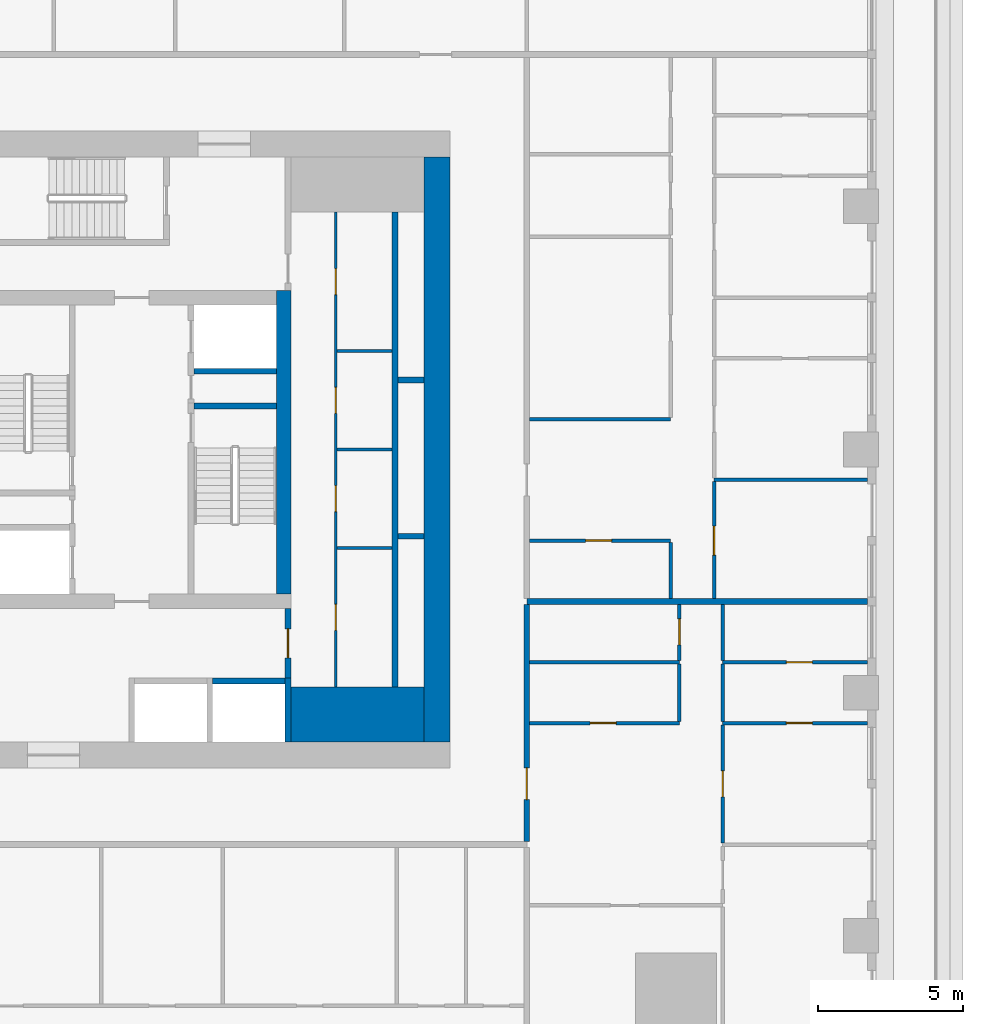
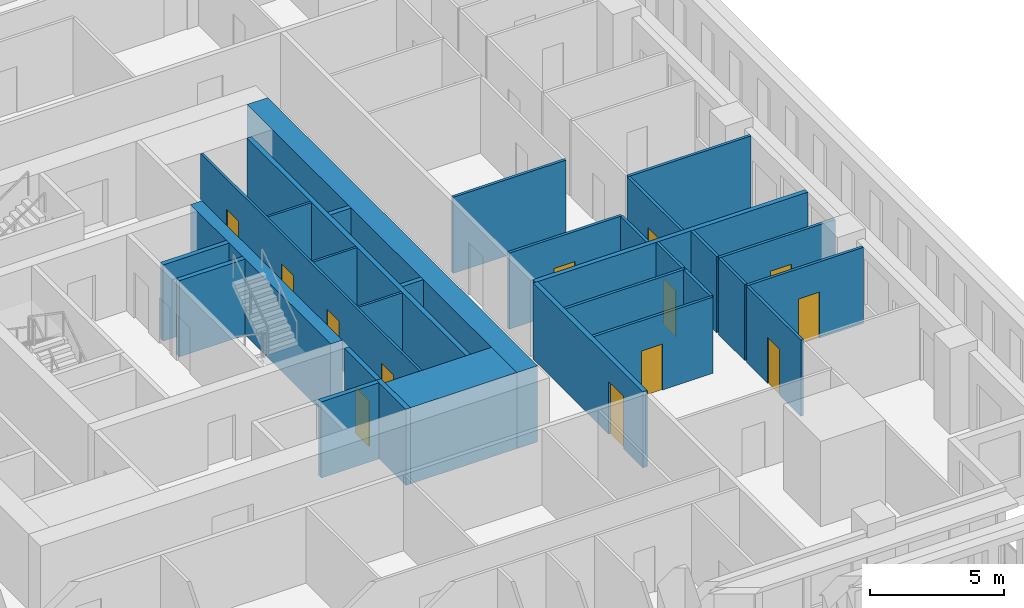
# One storey, part 5 of 14: 31 walls, 13 doors, 13 openings.
"""IFC4 building model written with IfcOpenShell, lengths in metres."""

from ifc_helpers import new_model, si_unit, direction, frame, frame_2d, origin, place, context, subcontext, project, spatial, rectangle, extrude, material, layer, layer_set, type_object, element, fill, save


model = new_model("IFC4")

# Units and contexts
model_context = context("Model", 3, precision=1e-05, world=origin(), true_north=direction((0.0, 1.0)))
body_context = subcontext(model_context, "Body", "Model", "MODEL_VIEW")
ifc_project = project(units=[si_unit("LENGTHUNIT", "METRE"), si_unit("AREAUNIT", "SQUARE_METRE"), si_unit("VOLUMEUNIT", "CUBIC_METRE"), si_unit("PLANEANGLEUNIT", "RADIAN"), si_unit("MASSUNIT", "GRAM", prefix="KILO")], contexts=[model_context])

# Site, building, storey
site_placement = place(None, origin())
site = spatial("IfcSite", under=ifc_project, at=site_placement, CompositionType="ELEMENT")
building_placement = place(site_placement, origin())
building = spatial("IfcBuilding", under=site, at=building_placement, Name="Khepri Terraces", CompositionType="ELEMENT")
storey_placement = place(building_placement, frame((0.0, 0.0, 87.0)))
storey = spatial("IfcBuildingStorey", under=building, at=storey_placement, Name="L20", CompositionType="ELEMENT", Elevation=87.0)

# Walls
ifc_material_1 = material(Name="Concrete C70/85", Category="concrete")
ifc_layer_1 = layer(ifc_material_1, 1.89990234375, Name="Concrete C70/85", Category="concrete")
ifc_layer_set_1 = layer_set([ifc_layer_1], Name="Concrete C70/85")
wall_type_1 = type_object("IfcWallType", Name="Core wall 1900 C70/85", PredefinedType="SHEAR", material=ifc_layer_set_1)
wall_1_placement = place(storey_placement, frame((5.5, -9.14990234375, 0.0), z_axis=(0.0, 0.0, 1.0), x_axis=(1.0, 0.0, 0.0)))
element("IfcWall", 1, at=wall_1_placement, inside=storey, type_object=wall_type_1, Name="Core wall PR02 L20", PredefinedType="SHEAR", context=body_context, shape_type="SweptSolid", body=[
    extrude(rectangle(XDim=4.60009765625, YDim=1.89990234375, at=frame_2d((2.300048828125, 0.0))), origin(), (0.0, 0.0, 1.0), 3.47998046875),
])
ifc_layer_2 = layer(ifc_material_1, 0.199951171875, Name="Concrete C70/85", Category="concrete")
ifc_layer_set_2 = layer_set([ifc_layer_2], Name="Concrete C70/85")
wall_type_2 = type_object("IfcWallType", Name="Core wall 200 C70/85", PredefinedType="SHEAR", material=ifc_layer_set_2)
wall_2_placement = place(storey_placement, frame((2.14990234375, 1.5, 0.0), z_axis=(0.0, 0.0, 1.0), x_axis=(1.0, 0.0, 0.0)))
element("IfcWall", 2, at=wall_2_placement, inside=storey, type_object=wall_type_2, Name="Core wall ST04 L20", PredefinedType="SHEAR", context=body_context, shape_type="SweptSolid", body=[
    extrude(rectangle(XDim=2.85009765625, YDim=0.199951171875, at=frame_2d((1.425048828125, 0.0))), origin(), (0.0, 0.0, 1.0), 3.47998046875),
])
wall_3_placement = place(storey_placement, frame((5.39990234375, -10.10009765625, 0.0), z_axis=(0.0, 0.0, 1.0), x_axis=(0.0, 1.0, 0.0)))
element("IfcWall", 3, at=wall_3_placement, inside=storey, type_object=wall_type_2, Name="Core wall SH03 L20", PredefinedType="SHEAR", context=body_context, shape_type="SweptSolid", body=[
    extrude(rectangle(XDim=2.2001953125, YDim=0.199951171875, at=frame_2d((1.10009765625, 0.0))), origin(), (0.0, 0.0, 1.0), 3.47998046875),
])
wall_4_placement = place(storey_placement, frame((9.10009765625, -8.199951171875, 0.0), z_axis=(0.0, 0.0, 1.0), x_axis=(0.0, 1.0, 0.0)))
element("IfcWall", 4, at=wall_4_placement, inside=storey, type_object=wall_type_2, Name="Core wall SH05 L20", PredefinedType="SHEAR", context=body_context, shape_type="SweptSolid", body=[
    extrude(rectangle(XDim=16.39990234375, YDim=0.199951171875, at=frame_2d((8.199951171875, 0.0))), origin(), (0.0, 0.0, 1.0), 3.47998046875),
])
wall_5_placement = place(storey_placement, frame((2.800048828125, -8.0, 0.0), z_axis=(0.0, 0.0, 1.0), x_axis=(1.0, 0.0, 0.0)))
element("IfcWall", 5, at=wall_5_placement, inside=storey, type_object=wall_type_2, Name="Core wall SH07 L20", PredefinedType="SHEAR", context=body_context, shape_type="SweptSolid", body=[
    extrude(rectangle(XDim=2.5, YDim=0.199951171875, at=frame_2d((1.25, 0.0))), origin(), (0.0, 0.0, 1.0), 3.47998046875),
])
for number, where, z_axis, x_axis, name in (
    (6, (9.199951171875, -3.0, 0.0), (0.0, 0.0, 1.0), (1.0, 0.0, 0.0), "Core wall SH11 L20"),
    (7, (9.199951171875, 2.39990234375, 0.0), (0.0, 0.0, 1.0), (1.0, 0.0, 0.0), "Core wall SH16 L20"),
):
    element("IfcWall", number, at=place(storey_placement, frame(where, z_axis=z_axis, x_axis=x_axis)), inside=storey, type_object=wall_type_2, Name=name, PredefinedType="SHEAR", context=body_context, shape_type="SweptSolid", body=[
        extrude(rectangle(XDim=0.900146484375, YDim=0.199951171875, at=frame_2d((0.4501953125, 0.0))), origin(), (0.0, 0.0, 1.0), 3.47998046875),
    ])
wall_6_placement = place(storey_placement, frame((2.14990234375, 2.699951171875, 0.0), z_axis=(0.0, 0.0, 1.0), x_axis=(1.0, 0.0, 0.0)))
element("IfcWall", 8, at=wall_6_placement, inside=storey, type_object=wall_type_2, Name="Core wall SH18 L20", PredefinedType="SHEAR", context=body_context, shape_type="SweptSolid", body=[
    extrude(rectangle(XDim=2.85009765625, YDim=0.199951171875, at=frame_2d((1.425048828125, 0.0))), origin(), (0.0, 0.0, 1.0), 3.47998046875),
])
ifc_layer_3 = layer(ifc_material_1, 0.5, Name="Concrete C70/85", Category="concrete")
ifc_layer_set_3 = layer_set([ifc_layer_3], Name="Concrete C70/85")
wall_type_3 = type_object("IfcWallType", Name="Core wall 500 C70/85", PredefinedType="SHEAR", material=ifc_layer_set_3)
wall_7_placement = place(storey_placement, frame((5.25, -5.0, 0.0), z_axis=(0.0, 0.0, 1.0), x_axis=(0.0, 1.0, 0.0)))
element("IfcWall", 9, at=wall_7_placement, inside=storey, type_object=wall_type_3, Name="Core wall BX03 L20", PredefinedType="SHEAR", context=body_context, shape_type="SweptSolid", body=[
    extrude(rectangle(XDim=10.5, YDim=0.5, at=frame_2d((5.25, 0.0))), origin(), (0.0, 0.0, 1.0), 3.47998046875),
])
ifc_layer_4 = layer(ifc_material_1, 0.89990234375, Name="Concrete C70/85", Category="concrete")
ifc_layer_set_4 = layer_set([ifc_layer_4], Name="Concrete C70/85")
wall_type_4 = type_object("IfcWallType", Name="Core wall 900 C70/85", PredefinedType="SHEAR", material=ifc_layer_set_4)
wall_8_placement = place(storey_placement, frame((10.550048828125, -10.10009765625, 0.0), z_axis=(0.0, 0.0, 1.0), x_axis=(0.0, 1.0, 0.0)))
element("IfcWall", 10, at=wall_8_placement, inside=storey, type_object=wall_type_4, Name="Core wall OW-E L20", PredefinedType="SHEAR", context=body_context, shape_type="SweptSolid", body=[
    extrude(rectangle(XDim=20.2001953125, YDim=0.89990234375, at=frame_2d((10.10009765625, 0.0))), origin(), (0.0, 0.0, 1.0), 3.47998046875),
])

# Wall, openings, doors
ifc_material_2 = material(Name="Fire-rated gypsum board partition")
ifc_layer_5 = layer(ifc_material_2, 0.10009765625, Name="Fire-rated gypsum board partition")
ifc_layer_set_5 = layer_set([ifc_layer_5], Name="Fire-rated gypsum board partition")
wall_type_5 = type_object("IfcWallType", Name="WL-CORE-PART-100", PredefinedType="PARTITIONING", material=ifc_layer_set_5)
wall_9_placement = place(storey_placement, frame((7.050048828125, -8.199951171875, 0.0), z_axis=(0.0, 0.0, 1.0), x_axis=(0.0, 1.0, 0.0)))
wall_9 = element("IfcWall", 11, at=wall_9_placement, inside=storey, type_object=wall_type_5, Name="Core partition PT02 L20", PredefinedType="PARTITIONING", context=body_context, shape_type="SweptSolid", body=[
    extrude(rectangle(XDim=16.39990234375, YDim=0.10009765625, at=frame_2d((8.199951171875, 0.0))), origin(), (0.0, 0.0, 1.0), 3.47998046875),
])
opening_1_placement = place(wall_9_placement, frame((1.949951171875, 0.0, 0.0)))
opening_1 = element("IfcOpeningElement", 12, at=opening_1_placement, cuts=wall_9, Name="Opening L20-C22", PredefinedType="OPENING", context=body_context, shape_type="SweptSolid", body=[
    extrude(rectangle(XDim=0.89990234375, YDim=2.10009765625, at=frame_2d((0.449951171875, 1.050048828125))), frame((0.0, 0.06005859375, 0.0), z_axis=(0.0, -1.0, 0.0), x_axis=(1.0, 0.0, 0.0)), (0.0, 0.0, 1.0), 0.1201171875),
])
opening_2_placement = place(wall_9_placement, frame((6.050048828125, 0.0, 0.0)))
opening_2 = element("IfcOpeningElement", 13, at=opening_2_placement, cuts=wall_9, Name="Opening L20-C23", PredefinedType="OPENING", context=body_context, shape_type="SweptSolid", body=[
    extrude(rectangle(XDim=0.89990234375, YDim=2.10009765625, at=frame_2d((0.449951171875, 1.050048828125))), frame((0.0, 0.06005859375, 0.0), z_axis=(0.0, -1.0, 0.0), x_axis=(1.0, 0.0, 0.0)), (0.0, 0.0, 1.0), 0.1201171875),
])
opening_3_placement = place(wall_9_placement, frame((9.449951171875, 0.0, 0.0)))
opening_3 = element("IfcOpeningElement", 14, at=opening_3_placement, cuts=wall_9, Name="Opening L20-C24", PredefinedType="OPENING", context=body_context, shape_type="SweptSolid", body=[
    extrude(rectangle(XDim=0.89990234375, YDim=2.10009765625, at=frame_2d((0.449951171875, 1.050048828125))), frame((0.0, 0.06005859375, 0.0), z_axis=(0.0, -1.0, 0.0), x_axis=(1.0, 0.0, 0.0)), (0.0, 0.0, 1.0), 0.1201171875),
])
opening_4_placement = place(wall_9_placement, frame((13.550048828125, 0.0, 0.0)))
opening_4 = element("IfcOpeningElement", 15, at=opening_4_placement, cuts=wall_9, Name="Opening L20-C25", PredefinedType="OPENING", context=body_context, shape_type="SweptSolid", body=[
    extrude(rectangle(XDim=0.89990234375, YDim=2.10009765625, at=frame_2d((0.449951171875, 1.050048828125))), frame((0.0, 0.06005859375, 0.0), z_axis=(0.0, -1.0, 0.0), x_axis=(1.0, 0.0, 0.0)), (0.0, 0.0, 1.0), 0.1201171875),
])
ifc_material_3 = material(Name="Painted steel", Category="steel")
door_type_1 = type_object("IfcDoorType", Name="DR-CORE-SERVICE-900", OperationType="NOTDEFINED", PredefinedType="DOOR", material=ifc_material_3)
door_1_placement = place(opening_1_placement, frame((0.89990234375, 0.0, 0.0), z_axis=(0.0, 0.0, 1.0), x_axis=(-1.0, 0.0, 0.0)))
door_1 = element("IfcDoor", 16, at=door_1_placement, inside=storey, type_object=door_type_1, Name="Service room door L20-C22", OperationType="SINGLE_SWING_RIGHT", OverallHeight=2.10009765625, OverallWidth=0.89990234375, PredefinedType="DOOR", context=body_context, shape_type="SweptSolid", body=[
    extrude(rectangle(XDim=0.89990234375, YDim=2.10009765625, at=frame_2d((0.449951171875, 1.050048828125))), frame((0.0, 0.02490234375, 0.0), z_axis=(0.0, -1.0, 0.0), x_axis=(1.0, 0.0, 0.0)), (0.0, 0.0, 1.0), 0.050048828125),
])
fill(opening_1, door_1)
door_2_placement = place(opening_2_placement, frame((0.89990234375, 0.0, 0.0), z_axis=(0.0, 0.0, 1.0), x_axis=(-1.0, 0.0, 0.0)))
door_2 = element("IfcDoor", 17, at=door_2_placement, inside=storey, type_object=door_type_1, Name="Service room door L20-C23", OperationType="SINGLE_SWING_RIGHT", OverallHeight=2.10009765625, OverallWidth=0.89990234375, PredefinedType="DOOR", context=body_context, shape_type="SweptSolid", body=[
    extrude(rectangle(XDim=0.89990234375, YDim=2.10009765625, at=frame_2d((0.449951171875, 1.050048828125))), frame((0.0, 0.02490234375, 0.0), z_axis=(0.0, -1.0, 0.0), x_axis=(1.0, 0.0, 0.0)), (0.0, 0.0, 1.0), 0.050048828125),
])
fill(opening_2, door_2)
door_3_placement = place(opening_3_placement, frame((0.89990234375, 0.0, 0.0), z_axis=(0.0, 0.0, 1.0), x_axis=(-1.0, 0.0, 0.0)))
door_3 = element("IfcDoor", 18, at=door_3_placement, inside=storey, type_object=door_type_1, Name="Service room door L20-C24", OperationType="SINGLE_SWING_LEFT", OverallHeight=2.10009765625, OverallWidth=0.89990234375, PredefinedType="DOOR", context=body_context, shape_type="SweptSolid", body=[
    extrude(rectangle(XDim=0.89990234375, YDim=2.10009765625, at=frame_2d((0.449951171875, 1.050048828125))), frame((0.0, 0.02490234375, 0.0), z_axis=(0.0, -1.0, 0.0), x_axis=(1.0, 0.0, 0.0)), (0.0, 0.0, 1.0), 0.050048828125),
])
fill(opening_3, door_3)
door_4_placement = place(opening_4_placement, frame((0.89990234375, 0.0, 0.0), z_axis=(0.0, 0.0, 1.0), x_axis=(-1.0, 0.0, 0.0)))
door_4 = element("IfcDoor", 19, at=door_4_placement, inside=storey, type_object=door_type_1, Name="Service room door L20-C25", OperationType="SINGLE_SWING_LEFT", OverallHeight=2.10009765625, OverallWidth=0.89990234375, PredefinedType="DOOR", context=body_context, shape_type="SweptSolid", body=[
    extrude(rectangle(XDim=0.89990234375, YDim=2.10009765625, at=frame_2d((0.449951171875, 1.050048828125))), frame((0.0, 0.02490234375, 0.0), z_axis=(0.0, -1.0, 0.0), x_axis=(1.0, 0.0, 0.0)), (0.0, 0.0, 1.0), 0.050048828125),
])
fill(opening_4, door_4)

# Walls
for number, where, z_axis, x_axis, name in (
    (20, (7.10009765625, -3.39990234375, 0.0), (0.0, 0.0, 1.0), (1.0, 0.0, 0.0), "Core partition PT04 L20"),
    (21, (7.10009765625, 0.0, 0.0), (0.0, 0.0, 1.0), (1.0, 0.0, 0.0), "Core partition PT05 L20"),
    (22, (7.10009765625, 3.39990234375, 0.0), (0.0, 0.0, 1.0), (1.0, 0.0, 0.0), "Core partition PT06 L20"),
):
    element("IfcWall", number, at=place(storey_placement, frame(where, z_axis=z_axis, x_axis=x_axis)), inside=storey, type_object=wall_type_5, Name=name, PredefinedType="PARTITIONING", context=body_context, shape_type="SweptSolid", body=[
        extrude(rectangle(XDim=1.89990234375, YDim=0.10009765625, at=frame_2d((0.949951171875, 0.0))), origin(), (0.0, 0.0, 1.0), 3.47998046875),
    ])

# Wall, opening, door
ifc_layer_6 = layer(ifc_material_2, 0.199951171875, Name="Fire-rated gypsum board partition")
ifc_layer_set_6 = layer_set([ifc_layer_6], Name="Fire-rated gypsum board partition")
wall_type_6 = type_object("IfcWallType", Name="WL-CORE-PART-200", PredefinedType="PARTITIONING", material=ifc_layer_set_6)
wall_10_placement = place(storey_placement, frame((5.39990234375, -7.89990234375, 0.0), z_axis=(0.0, 0.0, 1.0), x_axis=(0.0, 1.0, 0.0)))
wall_10 = element("IfcWall", 23, at=wall_10_placement, inside=storey, type_object=wall_type_6, Name="Core partition PT03 L20", PredefinedType="PARTITIONING", context=body_context, shape_type="SweptSolid", body=[
    extrude(rectangle(XDim=2.39990234375, YDim=0.199951171875, at=frame_2d((1.199951171875, 0.0))), origin(), (0.0, 0.0, 1.0), 3.47998046875),
])
opening_5_placement = place(wall_10_placement, frame((0.699951171875, 0.0, 0.0)))
opening_5 = element("IfcOpeningElement", 24, at=opening_5_placement, cuts=wall_10, Name="Opening L20-C19", PredefinedType="OPENING", context=body_context, shape_type="SweptSolid", body=[
    extrude(rectangle(XDim=1.0, YDim=2.10009765625, at=frame_2d((0.5, 1.050048828125))), frame((0.0, 0.10986328125, 0.0), z_axis=(0.0, -1.0, 0.0), x_axis=(1.0, 0.0, 0.0)), (0.0, 0.0, 1.0), 0.219970703125),
])
door_type_2 = type_object("IfcDoorType", Name="DR-CORE-LOBBY-1000", OperationType="NOTDEFINED", PredefinedType="DOOR", material=ifc_material_3)
door_5_placement = place(opening_5_placement, origin())
door_5 = element("IfcDoor", 25, at=door_5_placement, inside=storey, type_object=door_type_2, Name="Lobby door L20-C19", OperationType="SINGLE_SWING_RIGHT", OverallHeight=2.10009765625, OverallWidth=1.0, PredefinedType="DOOR", context=body_context, shape_type="SweptSolid", body=[
    extrude(rectangle(XDim=1.0, YDim=2.10009765625, at=frame_2d((0.5, 1.050048828125))), frame((0.0, 0.02490234375, 0.0), z_axis=(0.0, -1.0, 0.0), x_axis=(1.0, 0.0, 0.0)), (0.0, 0.0, 1.0), 0.050048828125),
])
fill(opening_5, door_5)

ifc_material_4 = material(Name="Fire-rated gypsum plasterboard partition, mineral wool")
ifc_layer_7 = layer(ifc_material_4, 0.199951171875, Name="Fire-rated gypsum plasterboard partition, mineral wool")
ifc_layer_set_7 = layer_set([ifc_layer_7], Name="Fire-rated gypsum plasterboard partition, mineral wool")
wall_type_7 = type_object("IfcWallType", Name="WL-CORR-200", PredefinedType="PARTITIONING", material=ifc_layer_set_7)
wall_11_placement = place(storey_placement, frame((13.64990234375, -13.550048828125, 0.0), z_axis=(0.0, 0.0, 1.0), x_axis=(0.0, 1.0, 0.0)))
wall_11 = element("IfcWall", 26, at=wall_11_placement, inside=storey, type_object=wall_type_7, Name="Partition P-025 L20", PredefinedType="PARTITIONING", context=body_context, shape_type="SweptSolid", body=[
    extrude(rectangle(XDim=8.199951171875, YDim=0.199951171875, at=frame_2d((4.10009765625, 0.0))), origin(), (0.0, 0.0, 1.0), 3.47998046875),
])
opening_6_placement = place(wall_11_placement, frame((1.449951171875, 0.0, 0.0)))
opening_6 = element("IfcOpeningElement", 27, at=opening_6_placement, cuts=wall_11, Name="Opening D1", PredefinedType="OPENING", context=body_context, shape_type="SweptSolid", body=[
    extrude(rectangle(XDim=1.10009765625, YDim=2.39990234375, at=frame_2d((0.550048828125, 1.199951171875))), frame((0.0, 0.10986328125, 0.0), z_axis=(0.0, -1.0, 0.0), x_axis=(1.0, 0.0, 0.0)), (0.0, 0.0, 1.0), 0.219970703125),
])
ifc_material_5 = material(Name="Solid-core timber door leaf, flat entrance door", Category="wood")
door_type_3 = type_object("IfcDoorType", Name="DR-ENT-1100", OperationType="NOTDEFINED", PredefinedType="DOOR", material=ifc_material_5)
door_6_placement = place(opening_6_placement, frame((1.10009765625, 0.0, 0.0), z_axis=(0.0, 0.0, 1.0), x_axis=(-1.0, 0.0, 0.0)))
door_6 = element("IfcDoor", 28, at=door_6_placement, inside=storey, type_object=door_type_3, Name="Flat B1 entrance door", OperationType="SINGLE_SWING_RIGHT", OverallHeight=2.39990234375, OverallWidth=1.10009765625, PredefinedType="DOOR", context=body_context, shape_type="SweptSolid", body=[
    extrude(rectangle(XDim=1.10009765625, YDim=2.39990234375, at=frame_2d((0.550048828125, 1.199951171875))), frame((0.0, 0.02490234375, 0.0), z_axis=(0.0, -1.0, 0.0), x_axis=(1.0, 0.0, 0.0)), (0.0, 0.0, 1.0), 0.050048828125),
])
fill(opening_6, door_6)

# Wall
wall_12_placement = place(storey_placement, frame((13.64990234375, -5.25, 0.0), z_axis=(0.0, 0.0, 1.0), x_axis=(1.0, 0.0, 0.0)))
element("IfcWall", 29, at=wall_12_placement, inside=storey, type_object=wall_type_7, Name="Partition P-041 L20", PredefinedType="PARTITIONING", context=body_context, shape_type="SweptSolid", body=[
    extrude(rectangle(XDim=11.77001953125, YDim=0.199951171875, at=frame_2d((5.885009765625, 0.0))), origin(), (0.0, 0.0, 1.0), 3.47998046875),
])

# Wall, opening, door
ifc_material_6 = material(Name="Gypsum plasterboard partition")
ifc_layer_8 = layer(ifc_material_6, 0.1201171875, Name="Gypsum plasterboard partition")
ifc_layer_set_8 = layer_set([ifc_layer_8], Name="Gypsum plasterboard partition")
wall_type_8 = type_object("IfcWallType", Name="WL-PART-120", PredefinedType="PARTITIONING", material=ifc_layer_set_8)
wall_13_placement = place(storey_placement, frame((20.419921875, -13.590087890625, 0.0), z_axis=(0.0, 0.0, 1.0), x_axis=(0.0, 1.0, 0.0)))
wall_13 = element("IfcWall", 30, at=wall_13_placement, inside=storey, type_object=wall_type_8, Name="Partition P-021 L20", PredefinedType="PARTITIONING", context=body_context, shape_type="SweptSolid", body=[
    extrude(rectangle(XDim=4.080078125, YDim=0.1201171875, at=frame_2d((2.0400390625, 0.0))), origin(), (0.0, 0.0, 1.0), 3.47998046875),
])
opening_7_placement = place(wall_13_placement, frame((1.590087890625, 0.0, 0.0)))
opening_7 = element("IfcOpeningElement", 31, at=opening_7_placement, cuts=wall_13, Name="Opening D3", PredefinedType="OPENING", context=body_context, shape_type="SweptSolid", body=[
    extrude(rectangle(XDim=0.89990234375, YDim=2.10009765625, at=frame_2d((0.449951171875, 1.050048828125))), frame((0.0, 0.070068359375, 0.0), z_axis=(0.0, -1.0, 0.0), x_axis=(1.0, 0.0, 0.0)), (0.0, 0.0, 1.0), 0.14013671875),
])
ifc_material_7 = material(Name="Timber door leaf", Category="wood")
door_type_4 = type_object("IfcDoorType", Name="DR-INT-900", OperationType="NOTDEFINED", PredefinedType="DOOR", material=ifc_material_7)
door_7_placement = place(opening_7_placement, frame((0.89990234375, 0.0, 0.0), z_axis=(0.0, 0.0, 1.0), x_axis=(-1.0, 0.0, 0.0)))
door_7 = element("IfcDoor", 32, at=door_7_placement, inside=storey, type_object=door_type_4, Name="Door Master Bedroom", OperationType="SINGLE_SWING_RIGHT", OverallHeight=2.10009765625, OverallWidth=0.89990234375, PredefinedType="DOOR", context=body_context, shape_type="SweptSolid", body=[
    extrude(rectangle(XDim=0.89990234375, YDim=2.10009765625, at=frame_2d((0.449951171875, 1.050048828125))), frame((0.0, 0.02490234375, 0.0), z_axis=(0.0, -1.0, 0.0), x_axis=(1.0, 0.0, 0.0)), (0.0, 0.0, 1.0), 0.050048828125),
])
fill(opening_7, door_7)

wall_14_placement = place(storey_placement, frame((13.75, -9.449951171875, 0.0), z_axis=(0.0, 0.0, 1.0), x_axis=(1.0, 0.0, 0.0)))
wall_14 = element("IfcWall", 33, at=wall_14_placement, inside=storey, type_object=wall_type_8, Name="Partition P-028 L20", PredefinedType="PARTITIONING", context=body_context, shape_type="SweptSolid", body=[
    extrude(rectangle(XDim=5.169921875, YDim=0.1201171875, at=frame_2d((2.5849609375, 0.0))), origin(), (0.0, 0.0, 1.0), 3.47998046875),
])
opening_8_placement = place(wall_14_placement, frame((2.0849609375, 0.0, 0.0)))
opening_8 = element("IfcOpeningElement", 34, at=opening_8_placement, cuts=wall_14, Name="Opening D4", PredefinedType="OPENING", context=body_context, shape_type="SweptSolid", body=[
    extrude(rectangle(XDim=0.89990234375, YDim=2.10009765625, at=frame_2d((0.449951171875, 1.050048828125))), frame((0.0, 0.070068359375, 0.0), z_axis=(0.0, -1.0, 0.0), x_axis=(1.0, 0.0, 0.0)), (0.0, 0.0, 1.0), 0.14013671875),
])
ifc_material_8 = material(Name="Timber door leaf, moisture resistant", Category="wood")
door_type_5 = type_object("IfcDoorType", Name="DR-WET-900", OperationType="NOTDEFINED", PredefinedType="DOOR", material=ifc_material_8)
door_8_placement = place(opening_8_placement, origin())
door_8 = element("IfcDoor", 35, at=door_8_placement, inside=storey, type_object=door_type_5, Name="Door Guest Bathroom", OperationType="SINGLE_SWING_LEFT", OverallHeight=2.10009765625, OverallWidth=0.89990234375, PredefinedType="DOOR", context=body_context, shape_type="SweptSolid", body=[
    extrude(rectangle(XDim=0.89990234375, YDim=2.10009765625, at=frame_2d((0.449951171875, 1.050048828125))), frame((0.0, 0.02490234375, 0.0), z_axis=(0.0, -1.0, 0.0), x_axis=(1.0, 0.0, 0.0)), (0.0, 0.0, 1.0), 0.050048828125),
])
fill(opening_8, door_8)

wall_15_placement = place(storey_placement, frame((20.419921875, -9.449951171875, 0.0), z_axis=(0.0, 0.0, 1.0), x_axis=(1.0, 0.0, 0.0)))
wall_15 = element("IfcWall", 36, at=wall_15_placement, inside=storey, type_object=wall_type_8, Name="Partition P-029 L20", PredefinedType="PARTITIONING", context=body_context, shape_type="SweptSolid", body=[
    extrude(rectangle(XDim=5.0, YDim=0.1201171875, at=frame_2d((2.5, 0.0))), origin(), (0.0, 0.0, 1.0), 3.47998046875),
])
opening_9_placement = place(wall_15_placement, frame((2.199951171875, 0.0, 0.0)))
opening_9 = element("IfcOpeningElement", 37, at=opening_9_placement, cuts=wall_15, Name="Opening D3", PredefinedType="OPENING", context=body_context, shape_type="SweptSolid", body=[
    extrude(rectangle(XDim=0.89990234375, YDim=2.10009765625, at=frame_2d((0.449951171875, 1.050048828125))), frame((0.0, 0.070068359375, 0.0), z_axis=(0.0, -1.0, 0.0), x_axis=(1.0, 0.0, 0.0)), (0.0, 0.0, 1.0), 0.14013671875),
])
door_9_placement = place(opening_9_placement, origin())
door_9 = element("IfcDoor", 38, at=door_9_placement, inside=storey, type_object=door_type_4, Name="Door Dressing Room", OperationType="SINGLE_SWING_RIGHT", OverallHeight=2.10009765625, OverallWidth=0.89990234375, PredefinedType="DOOR", context=body_context, shape_type="SweptSolid", body=[
    extrude(rectangle(XDim=0.89990234375, YDim=2.10009765625, at=frame_2d((0.449951171875, 1.050048828125))), frame((0.0, 0.02490234375, 0.0), z_axis=(0.0, -1.0, 0.0), x_axis=(1.0, 0.0, 0.0)), (0.0, 0.0, 1.0), 0.050048828125),
])
fill(opening_9, door_9)

# Walls
for number, where, z_axis, x_axis, name in (
    (39, (18.919921875, -9.389892578125, 0.0), (0.0, 0.0, 1.0), (0.0, 1.0, 0.0), "Partition P-030 L20"),
    (40, (20.419921875, -9.389892578125, 0.0), (0.0, 0.0, 1.0), (0.0, 1.0, 0.0), "Partition P-031 L20"),
):
    element("IfcWall", number, at=place(storey_placement, frame(where, z_axis=z_axis, x_axis=x_axis)), inside=storey, type_object=wall_type_8, Name=name, PredefinedType="PARTITIONING", context=body_context, shape_type="SweptSolid", body=[
        extrude(rectangle(XDim=1.97998046875, YDim=0.1201171875, at=frame_2d((0.989990234375, 0.0))), origin(), (0.0, 0.0, 1.0), 3.47998046875),
    ])
wall_16_placement = place(storey_placement, frame((13.75, -7.35009765625, 0.0), z_axis=(0.0, 0.0, 1.0), x_axis=(1.0, 0.0, 0.0)))
element("IfcWall", 41, at=wall_16_placement, inside=storey, type_object=wall_type_8, Name="Partition P-035 L20", PredefinedType="PARTITIONING", context=body_context, shape_type="SweptSolid", body=[
    extrude(rectangle(XDim=5.169921875, YDim=0.1201171875, at=frame_2d((2.5849609375, 0.0))), origin(), (0.0, 0.0, 1.0), 3.47998046875),
])

# Wall, opening, door
wall_17_placement = place(storey_placement, frame((20.419921875, -7.35009765625, 0.0), z_axis=(0.0, 0.0, 1.0), x_axis=(1.0, 0.0, 0.0)))
wall_17 = element("IfcWall", 42, at=wall_17_placement, inside=storey, type_object=wall_type_8, Name="Partition P-036 L20", PredefinedType="PARTITIONING", context=body_context, shape_type="SweptSolid", body=[
    extrude(rectangle(XDim=5.0, YDim=0.1201171875, at=frame_2d((2.5, 0.0))), origin(), (0.0, 0.0, 1.0), 3.47998046875),
])
opening_10_placement = place(wall_17_placement, frame((2.199951171875, 0.0, 0.0)))
opening_10 = element("IfcOpeningElement", 43, at=opening_10_placement, cuts=wall_17, Name="Opening D4", PredefinedType="OPENING", context=body_context, shape_type="SweptSolid", body=[
    extrude(rectangle(XDim=0.89990234375, YDim=2.10009765625, at=frame_2d((0.449951171875, 1.050048828125))), frame((0.0, 0.070068359375, 0.0), z_axis=(0.0, -1.0, 0.0), x_axis=(1.0, 0.0, 0.0)), (0.0, 0.0, 1.0), 0.14013671875),
])
door_10_placement = place(opening_10_placement, origin())
door_10 = element("IfcDoor", 44, at=door_10_placement, inside=storey, type_object=door_type_5, Name="Door Bathroom", OperationType="SINGLE_SWING_RIGHT", OverallHeight=2.10009765625, OverallWidth=0.89990234375, PredefinedType="DOOR", context=body_context, shape_type="SweptSolid", body=[
    extrude(rectangle(XDim=0.89990234375, YDim=2.10009765625, at=frame_2d((0.449951171875, 1.050048828125))), frame((0.0, 0.02490234375, 0.0), z_axis=(0.0, -1.0, 0.0), x_axis=(1.0, 0.0, 0.0)), (0.0, 0.0, 1.0), 0.050048828125),
])
fill(opening_10, door_10)

wall_18_placement = place(storey_placement, frame((18.919921875, -7.2900390625, 0.0), z_axis=(0.0, 0.0, 1.0), x_axis=(0.0, 1.0, 0.0)))
wall_18 = element("IfcWall", 45, at=wall_18_placement, inside=storey, type_object=wall_type_8, Name="Partition P-038 L20", PredefinedType="PARTITIONING", context=body_context, shape_type="SweptSolid", body=[
    extrude(rectangle(XDim=1.93994140625, YDim=0.1201171875, at=frame_2d((0.969970703125, 0.0))), origin(), (0.0, 0.0, 1.0), 3.47998046875),
])
opening_11_placement = place(wall_18_placement, frame((0.5400390625, 0.0, 0.0)))
opening_11 = element("IfcOpeningElement", 46, at=opening_11_placement, cuts=wall_18, Name="Opening D3", PredefinedType="OPENING", context=body_context, shape_type="SweptSolid", body=[
    extrude(rectangle(XDim=0.89990234375, YDim=2.10009765625, at=frame_2d((0.449951171875, 1.050048828125))), frame((0.0, 0.070068359375, 0.0), z_axis=(0.0, -1.0, 0.0), x_axis=(1.0, 0.0, 0.0)), (0.0, 0.0, 1.0), 0.14013671875),
])
door_11_placement = place(opening_11_placement, origin())
door_11 = element("IfcDoor", 47, at=door_11_placement, inside=storey, type_object=door_type_4, Name="Door Kitchen", OperationType="SINGLE_SWING_RIGHT", OverallHeight=2.10009765625, OverallWidth=0.89990234375, PredefinedType="DOOR", context=body_context, shape_type="SweptSolid", body=[
    extrude(rectangle(XDim=0.89990234375, YDim=2.10009765625, at=frame_2d((0.449951171875, 1.050048828125))), frame((0.0, 0.02490234375, 0.0), z_axis=(0.0, -1.0, 0.0), x_axis=(1.0, 0.0, 0.0)), (0.0, 0.0, 1.0), 0.050048828125),
])
fill(opening_11, door_11)

# Walls
for number, where, z_axis, x_axis, name in (
    (48, (20.419921875, -7.2900390625, 0.0), (0.0, 0.0, 1.0), (0.0, 1.0, 0.0), "Partition P-039 L20"),
    (49, (18.6201171875, -5.14990234375, 0.0), (0.0, 0.0, 1.0), (0.0, 1.0, 0.0), "Partition P-043 L20"),
):
    element("IfcWall", number, at=place(storey_placement, frame(where, z_axis=z_axis, x_axis=x_axis)), inside=storey, type_object=wall_type_8, Name=name, PredefinedType="PARTITIONING", context=body_context, shape_type="SweptSolid", body=[
        extrude(rectangle(XDim=1.93994140625, YDim=0.1201171875, at=frame_2d((0.969970703125, 0.0))), origin(), (0.0, 0.0, 1.0), 3.47998046875),
    ])

# Wall, opening, door
wall_19_placement = place(storey_placement, frame((20.1201171875, -5.14990234375, 0.0), z_axis=(0.0, 0.0, 1.0), x_axis=(0.0, 1.0, 0.0)))
wall_19 = element("IfcWall", 50, at=wall_19_placement, inside=storey, type_object=wall_type_8, Name="Partition P-044 L20", PredefinedType="PARTITIONING", context=body_context, shape_type="SweptSolid", body=[
    extrude(rectangle(XDim=4.039794921875, YDim=0.1201171875, at=frame_2d((2.02001953125, 0.0))), origin(), (0.0, 0.0, 1.0), 3.47998046875),
])
opening_12_placement = place(wall_19_placement, frame((1.5, 0.0, 0.0)))
opening_12 = element("IfcOpeningElement", 51, at=opening_12_placement, cuts=wall_19, Name="Opening D2", PredefinedType="OPENING", context=body_context, shape_type="SweptSolid", body=[
    extrude(rectangle(XDim=1.0, YDim=2.10009765625, at=frame_2d((0.5, 1.050048828125))), frame((0.0, 0.070068359375, 0.0), z_axis=(0.0, -1.0, 0.0), x_axis=(1.0, 0.0, 0.0)), (0.0, 0.0, 1.0), 0.14013671875),
])
ifc_material_9 = material(Name="Timber door leaf, living room door", Category="wood")
door_type_6 = type_object("IfcDoorType", Name="DR-INT-1000", OperationType="NOTDEFINED", PredefinedType="DOOR", material=ifc_material_9)
door_12_placement = place(opening_12_placement, frame((1.0, 0.0, 0.0), z_axis=(0.0, 0.0, 1.0), x_axis=(-1.0, 0.0, 0.0)))
door_12 = element("IfcDoor", 52, at=door_12_placement, inside=storey, type_object=door_type_6, Name="Door Living Room", OperationType="SINGLE_SWING_RIGHT", OverallHeight=2.10009765625, OverallWidth=1.0, PredefinedType="DOOR", context=body_context, shape_type="SweptSolid", body=[
    extrude(rectangle(XDim=1.0, YDim=2.10009765625, at=frame_2d((0.5, 1.050048828125))), frame((0.0, 0.02490234375, 0.0), z_axis=(0.0, -1.0, 0.0), x_axis=(1.0, 0.0, 0.0)), (0.0, 0.0, 1.0), 0.050048828125),
])
fill(opening_12, door_12)

wall_20_placement = place(storey_placement, frame((13.75, -3.14990234375, 0.0), z_axis=(0.0, 0.0, 1.0), x_axis=(1.0, 0.0, 0.0)))
wall_20 = element("IfcWall", 53, at=wall_20_placement, inside=storey, type_object=wall_type_8, Name="Partition P-045 L20", PredefinedType="PARTITIONING", context=body_context, shape_type="SweptSolid", body=[
    extrude(rectangle(XDim=4.8701171875, YDim=0.1201171875, at=frame_2d((2.43505859375, 0.0))), origin(), (0.0, 0.0, 1.0), 3.47998046875),
])
opening_13_placement = place(wall_20_placement, frame((1.93505859375, 0.0, 0.0)))
opening_13 = element("IfcOpeningElement", 54, at=opening_13_placement, cuts=wall_20, Name="Opening D4", PredefinedType="OPENING", context=body_context, shape_type="SweptSolid", body=[
    extrude(rectangle(XDim=0.89990234375, YDim=2.10009765625, at=frame_2d((0.449951171875, 1.050048828125))), frame((0.0, 0.070068359375, 0.0), z_axis=(0.0, -1.0, 0.0), x_axis=(1.0, 0.0, 0.0)), (0.0, 0.0, 1.0), 0.14013671875),
])
door_13_placement = place(opening_13_placement, frame((0.89990234375, 0.0, 0.0), z_axis=(0.0, 0.0, 1.0), x_axis=(-1.0, 0.0, 0.0)))
door_13 = element("IfcDoor", 55, at=door_13_placement, inside=storey, type_object=door_type_5, Name="Door Guest Bathroom", OperationType="SINGLE_SWING_RIGHT", OverallHeight=2.10009765625, OverallWidth=0.89990234375, PredefinedType="DOOR", context=body_context, shape_type="SweptSolid", body=[
    extrude(rectangle(XDim=0.89990234375, YDim=2.10009765625, at=frame_2d((0.449951171875, 1.050048828125))), frame((0.0, 0.02490234375, 0.0), z_axis=(0.0, -1.0, 0.0), x_axis=(1.0, 0.0, 0.0)), (0.0, 0.0, 1.0), 0.050048828125),
])
fill(opening_13, door_13)

# Walls
wall_21_placement = place(storey_placement, frame((20.1201171875, -1.050048828125, 0.0), z_axis=(0.0, 0.0, 1.0), x_axis=(1.0, 0.0, 0.0)))
element("IfcWall", 56, at=wall_21_placement, inside=storey, type_object=wall_type_8, Name="Partition P-047 L20", PredefinedType="PARTITIONING", context=body_context, shape_type="SweptSolid", body=[
    extrude(rectangle(XDim=5.2998046875, YDim=0.1201171875, at=frame_2d((2.64990234375, 0.0))), origin(), (0.0, 0.0, 1.0), 3.47998046875),
])
wall_22_placement = place(storey_placement, frame((13.75, 1.050048828125, 0.0), z_axis=(0.0, 0.0, 1.0), x_axis=(1.0, 0.0, 0.0)))
element("IfcWall", 57, at=wall_22_placement, inside=storey, type_object=wall_type_8, Name="Partition P-050 L20", PredefinedType="PARTITIONING", context=body_context, shape_type="SweptSolid", body=[
    extrude(rectangle(XDim=4.8701171875, YDim=0.1201171875, at=frame_2d((2.43505859375, 0.0))), origin(), (0.0, 0.0, 1.0), 3.47998046875),
])

save(model, "model.ifc")
